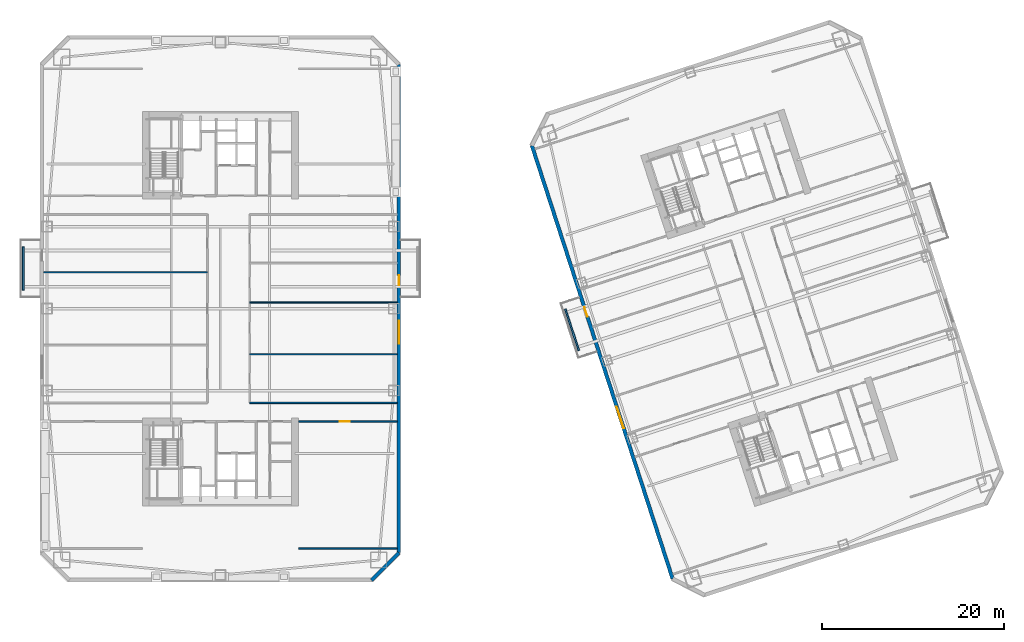
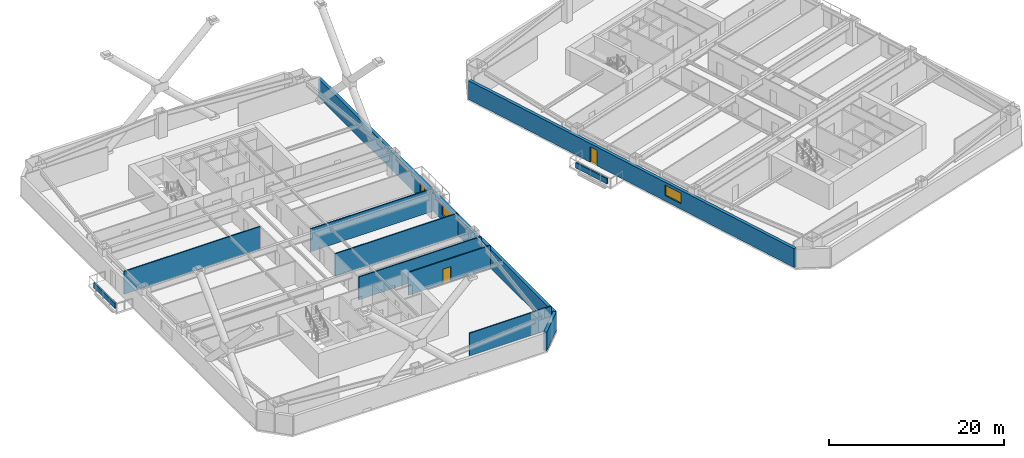
# One storey, part 5 of 15: 11 walls, 3 doors, 2 windows, 5 openings.
"""IFC4 building model written with IfcOpenShell, lengths in metres."""

from ifc_helpers import new_model, si_unit, direction, frame, frame_2d, origin, place, context, subcontext, project, spatial, rectangle, extrude, material, layer, layer_set, type_object, element, fill, save


model = new_model("IFC4")

# Units and contexts
model_context = context("Model", 3, precision=1e-05, world=origin(), true_north=direction((0.0, 1.0)))
body_context = subcontext(model_context, "Body", "Model", "MODEL_VIEW")
ifc_project = project(units=[si_unit("LENGTHUNIT", "METRE"), si_unit("AREAUNIT", "SQUARE_METRE"), si_unit("VOLUMEUNIT", "CUBIC_METRE"), si_unit("PLANEANGLEUNIT", "RADIAN"), si_unit("MASSUNIT", "GRAM", prefix="KILO")], contexts=[model_context])

# Site, building, storey
site_placement = place(None, origin())
site = spatial("IfcSite", under=ifc_project, at=site_placement, CompositionType="ELEMENT")
building_placement = place(site_placement, origin())
building = spatial("IfcBuilding", under=site, at=building_placement, Name="Qiaolan Cultural Towers", CompositionType="ELEMENT")
storey_placement = place(building_placement, frame((0.0, 0.0, 71.300048828125)))
storey = spatial("IfcBuildingStorey", under=building, at=storey_placement, Name="L17", CompositionType="ELEMENT", Elevation=71.300048828125)

# Wall, openings, door, window
ifc_material_1 = material(Name="Precast Concrete C50 Honed Stone Pier", Category="masonry")
ifc_layer_1 = layer(ifc_material_1, 0.39990234375)
ifc_layer_set_1 = layer_set([ifc_layer_1], Name="Precast Concrete C50 Honed Stone Pier")
wall_type_1 = type_object("IfcWallType", Name="WL-EXT-PIER-400", PredefinedType="SOLIDWALL", material=ifc_layer_set_1)
wall_1_placement = place(storey_placement, frame((49.60009765625, 60.800048828125, 0.0), z_axis=(0.0, 0.0, 1.0), x_axis=(0.0, -1.0, 0.0)))
wall_1 = element("IfcWall", 1, at=wall_1_placement, inside=storey, type_object=wall_type_1, Name="L17 West Tower Precast Pier Facade Wall F5", PredefinedType="SOLIDWALL", context=body_context, shape_type="SweptSolid", body=[
    extrude(rectangle(XDim=53.60009765625, YDim=0.39990234375, at=frame_2d((26.800048828125, 0.0))), origin(), (0.0, 0.0, 1.0), 2.60986328125),
])
opening_1_placement = place(wall_1_placement, frame((28.14990234375, 0.0, 0.75)))
opening_1 = element("IfcOpeningElement", 2, at=opening_1_placement, cuts=wall_1, Name="Opening W-01", PredefinedType="OPENING", context=body_context, shape_type="SweptSolid", body=[
    extrude(rectangle(XDim=2.5, YDim=1.4599609375, at=frame_2d((1.25, 0.72998046875))), frame((0.0, 0.2099609375, 0.0), z_axis=(0.0, -1.0, 0.0), x_axis=(1.0, 0.0, 0.0)), (0.0, 0.0, 1.0), 0.419921875),
])
opening_2_placement = place(wall_1_placement, frame((23.14990234375, 0.0, 0.0)))
opening_2 = element("IfcOpeningElement", 3, at=opening_2_placement, cuts=wall_1, Name="Opening BD-01", PredefinedType="OPENING", context=body_context, shape_type="SweptSolid", body=[
    extrude(rectangle(XDim=1.10009765625, YDim=2.14990234375, at=frame_2d((0.550048828125, 1.074951171875))), frame((0.0, 0.2099609375, 0.0), z_axis=(0.0, -1.0, 0.0), x_axis=(1.0, 0.0, 0.0)), (0.0, 0.0, 1.0), 0.419921875),
])
ifc_material_2 = material(Name="Thermally Broken Aluminium Glazed Terrace Door", Category="aluminium")
door_type_1 = type_object("IfcDoorType", Name="DR-BAL-1100", OperationType="NOTDEFINED", PredefinedType="DOOR", material=ifc_material_2)
door_1_placement = place(opening_2_placement, origin())
door_1 = element("IfcDoor", 4, at=door_1_placement, inside=storey, type_object=door_type_1, Name="L17 T1 East Tree Balcony Door", OperationType="SINGLE_SWING_RIGHT", OverallHeight=2.14990234375, OverallWidth=1.10009765625, PredefinedType="DOOR", context=body_context, shape_type="SweptSolid", body=[
    extrude(rectangle(XDim=1.10009765625, YDim=2.14990234375, at=frame_2d((0.550048828125, 1.074951171875))), frame((0.0, 0.02490234375, 0.0), z_axis=(0.0, -1.0, 0.0), x_axis=(1.0, 0.0, 0.0)), (0.0, 0.0, 1.0), 0.050048828125),
])
fill(opening_2, door_1)
ifc_material_3 = material(Name="Thermally Broken Aluminium Triple Low-E Glazing", Category="aluminium")
window_type = type_object("IfcWindowType", Name="WN-CHIC-2500", PartitioningType="SINGLE_PANEL", PredefinedType="WINDOW", material=ifc_material_3)
window_1_placement = place(opening_1_placement, origin())
window_1 = element("IfcWindow", 5, at=window_1_placement, inside=storey, type_object=window_type, Name="L17 T1 E Chicago Bay Window 1", OverallHeight=1.4599609375, OverallWidth=2.5, PartitioningType="TRIPLE_PANEL_VERTICAL", PredefinedType="WINDOW", context=body_context, shape_type="SweptSolid", body=[
    extrude(rectangle(XDim=2.5, YDim=1.4599609375, at=frame_2d((1.25, 0.72998046875))), frame((0.0, 0.030029296875, 0.0), z_axis=(0.0, -1.0, 0.0), x_axis=(1.0, 0.0, 0.0)), (0.0, 0.0, 1.0), 0.06005859375),
])
fill(opening_1, window_1)

# Wall
wall_2_placement = place(storey_placement, frame((49.60009765625, 7.199951171875, 0.0), z_axis=(0.0, 0.0, 1.0), x_axis=(-0.707106781187, -0.707106781187, 0.0)))
element("IfcWall", 6, at=wall_2_placement, inside=storey, type_object=wall_type_1, Name="L17 West Tower Precast Pier Facade Wall F6", PredefinedType="SOLIDWALL", context=body_context, shape_type="SweptSolid", body=[
    extrude(rectangle(XDim=4.24267578125, YDim=0.39990234375, at=frame_2d((2.121337890625, 0.0))), origin(), (0.0, 0.0, 1.0), 2.60986328125),
])

# Wall, openings, door, window
wall_3_placement = place(storey_placement, frame((79.6552734375, 4.352294921875, 0.0), z_axis=(0.0, 0.0, 1.0), x_axis=(-0.309014526607, 0.951057318118, 0.0)))
wall_3 = element("IfcWall", 7, at=wall_3_placement, inside=storey, type_object=wall_type_1, Name="L17 East Tower Precast Pier Facade Wall F1", PredefinedType="SOLIDWALL", context=body_context, shape_type="SweptSolid", body=[
    extrude(rectangle(XDim=49.999755859375, YDim=0.39990234375, at=frame_2d((25.0, 0.0))), origin(), (0.0, 0.0, 1.0), 2.60986328125),
])
opening_3_placement = place(wall_3_placement, frame((17.35009765625, 0.0, 0.75)))
opening_3 = element("IfcOpeningElement", 8, at=opening_3_placement, cuts=wall_3, Name="Opening W-01", PredefinedType="OPENING", context=body_context, shape_type="SweptSolid", body=[
    extrude(rectangle(XDim=2.5, YDim=1.4599609375, at=frame_2d((1.25, 0.72998046875))), frame((0.0, 0.2099609375, 0.0), z_axis=(0.0, -1.0, 0.0), x_axis=(1.0, 0.0, 0.0)), (0.0, 0.0, 1.0), 0.419921875),
])
opening_4_placement = place(wall_3_placement, frame((30.25, 0.0, 0.0)))
opening_4 = element("IfcOpeningElement", 9, at=opening_4_placement, cuts=wall_3, Name="Opening BD-01", PredefinedType="OPENING", context=body_context, shape_type="SweptSolid", body=[
    extrude(rectangle(XDim=1.10009765625, YDim=2.14990234375, at=frame_2d((0.550048828125, 1.074951171875))), frame((0.0, 0.2099609375, 0.0), z_axis=(0.0, -1.0, 0.0), x_axis=(1.0, 0.0, 0.0)), (0.0, 0.0, 1.0), 0.419921875),
])
door_2_placement = place(opening_4_placement, origin())
door_2 = element("IfcDoor", 10, at=door_2_placement, inside=storey, type_object=door_type_1, Name="L17 T2 West Tree Balcony Door", OperationType="SINGLE_SWING_LEFT", OverallHeight=2.14990234375, OverallWidth=1.10009765625, PredefinedType="DOOR", context=body_context, shape_type="SweptSolid", body=[
    extrude(rectangle(XDim=1.10009765625, YDim=2.14990234375, at=frame_2d((0.550048828125, 1.074951171875))), frame((0.0, 0.02490234375, 0.0), z_axis=(0.0, -1.0, 0.0), x_axis=(1.0, 0.0, 0.0)), (0.0, 0.0, 1.0), 0.050048828125),
])
fill(opening_4, door_2)
window_2_placement = place(opening_3_placement, origin())
window_2 = element("IfcWindow", 11, at=window_2_placement, inside=storey, type_object=window_type, Name="L17 T2 W Chicago Bay Window 1", OverallHeight=1.4599609375, OverallWidth=2.5, PartitioningType="TRIPLE_PANEL_VERTICAL", PredefinedType="WINDOW", context=body_context, shape_type="SweptSolid", body=[
    extrude(rectangle(XDim=2.5, YDim=1.4599609375, at=frame_2d((1.25, 0.72998046875))), frame((0.0, 0.030029296875, 0.0), z_axis=(0.0, -1.0, 0.0), x_axis=(1.0, 0.0, 0.0)), (0.0, 0.0, 1.0), 0.06005859375),
])
fill(opening_3, window_2)

# Wall
ifc_material_4 = material(Name="Autoclaved Aerated Concrete Block B06", Category="concrete")
ifc_layer_2 = layer(ifc_material_4, 0.14990234375)
ifc_layer_set_2 = layer_set([ifc_layer_2], Name="Autoclaved Aerated Concrete Block B06")
wall_type_2 = type_object("IfcWallType", Name="WL-PART-150", PredefinedType="PARTITIONING", material=ifc_layer_set_2)
wall_4_placement = place(storey_placement, frame((38.60009765625, 7.64990234375, 0.0), z_axis=(0.0, 0.0, 1.0), x_axis=(1.0, 0.0, 0.0)))
element("IfcWall", 12, at=wall_4_placement, inside=storey, type_object=wall_type_2, Name="L17 T1 Flank Wall FLK-SE", PredefinedType="PARTITIONING", context=body_context, shape_type="SweptSolid", body=[
    extrude(rectangle(XDim=10.7998046875, YDim=0.14990234375, at=frame_2d((5.39990234375, 0.0))), origin(), (0.0, 0.0, 1.0), 3.175048828125),
])

# Wall, opening, door
wall_5_placement = place(storey_placement, frame((38.60009765625, 21.60009765625, 0.0), z_axis=(0.0, 0.0, 1.0), x_axis=(1.0, 0.0, 0.0)))
wall_5 = element("IfcWall", 13, at=wall_5_placement, inside=storey, type_object=wall_type_2, Name="L17 T1 Flank Front FLK-SE", PredefinedType="PARTITIONING", context=body_context, shape_type="SweptSolid", body=[
    extrude(rectangle(XDim=10.7998046875, YDim=0.14990234375, at=frame_2d((5.39990234375, 0.0))), origin(), (0.0, 0.0, 1.0), 3.175048828125),
])
opening_5_placement = place(wall_5_placement, frame((4.535888671875, 0.0, 0.0)))
opening_5 = element("IfcOpeningElement", 14, at=opening_5_placement, cuts=wall_5, Name="Opening ID-07", PredefinedType="OPENING", context=body_context, shape_type="SweptSolid", body=[
    extrude(rectangle(XDim=1.050048828125, YDim=2.050048828125, at=frame_2d((0.52490234375, 1.02490234375))), frame((0.0, 0.0849609375, 0.0), z_axis=(0.0, -1.0, 0.0), x_axis=(1.0, 0.0, 0.0)), (0.0, 0.0, 1.0), 0.169921875),
])
ifc_material_5 = material(Name="Oak Veneer Consultation Door", Category="timber")
door_type_2 = type_object("IfcDoorType", Name="DR-INT-1050", OperationType="NOTDEFINED", PredefinedType="DOOR", material=ifc_material_5)
door_3_placement = place(opening_5_placement, origin())
door_3 = element("IfcDoor", 15, at=door_3_placement, inside=storey, type_object=door_type_2, Name="L17 T1 Corner Studio Door", OperationType="SINGLE_SWING_LEFT", OverallHeight=2.050048828125, OverallWidth=1.050048828125, PredefinedType="DOOR", context=body_context, shape_type="SweptSolid", body=[
    extrude(rectangle(XDim=1.050048828125, YDim=2.050048828125, at=frame_2d((0.52490234375, 1.02490234375))), frame((0.0, 0.02490234375, 0.0), z_axis=(0.0, -1.0, 0.0), x_axis=(1.0, 0.0, 0.0)), (0.0, 0.0, 1.0), 0.050048828125),
])
fill(opening_5, door_3)

# Walls
wall_6_placement = place(storey_placement, frame((33.22509765625, 23.64990234375, 0.0), z_axis=(0.0, 0.0, 1.0), x_axis=(1.0, 0.0, 0.0)))
element("IfcWall", 16, at=wall_6_placement, inside=storey, type_object=wall_type_2, Name="L17 T1 South Corridor Right Wall", PredefinedType="PARTITIONING", context=body_context, shape_type="SweptSolid", body=[
    extrude(rectangle(XDim=16.1748046875, YDim=0.14990234375, at=frame_2d((8.08740234375, 0.0))), origin(), (0.0, 0.0, 1.0), 3.175048828125),
])
wall_7_placement = place(storey_placement, frame((10.60009765625, 38.0, 0.0), z_axis=(0.0, 0.0, 1.0), x_axis=(1.0, 0.0, 0.0)))
element("IfcWall", 17, at=wall_7_placement, inside=storey, type_object=wall_type_2, Name="L17 T1 West Partition 2", PredefinedType="PARTITIONING", context=body_context, shape_type="SweptSolid", body=[
    extrude(rectangle(XDim=17.974853515625, YDim=0.14990234375, at=frame_2d((8.9873046875, 0.0))), origin(), (0.0, 0.0, 1.0), 3.175048828125),
])
for number, where, z_axis, x_axis, name in (
    (18, (33.22509765625, 29.0, 0.0), (0.0, 0.0, 1.0), (1.0, 0.0, 0.0), "L17 T1 East Partition 1"),
    (19, (33.22509765625, 34.679931640625, 0.0), (0.0, 0.0, 1.0), (1.0, 0.0, 0.0), "L17 T1 East Partition 2"),
):
    element("IfcWall", number, at=place(storey_placement, frame(where, z_axis=z_axis, x_axis=x_axis)), inside=storey, type_object=wall_type_2, Name=name, PredefinedType="PARTITIONING", context=body_context, shape_type="SweptSolid", body=[
        extrude(rectangle(XDim=16.1748046875, YDim=0.14990234375, at=frame_2d((8.08740234375, 0.0))), origin(), (0.0, 0.0, 1.0), 3.175048828125),
    ])
ifc_material_6 = material(Name="Precast Concrete C45 Tree Planter Upstand", Category="concrete")
ifc_layer_3 = layer(ifc_material_6, 0.199951171875)
ifc_layer_set_3 = layer_set([ifc_layer_3], Name="Precast Concrete C45 Tree Planter Upstand")
wall_type_3 = type_object("IfcWallType", Name="WL-PLANTER-200", PredefinedType="PARAPET", material=ifc_layer_set_3)
for number, where, z_axis, x_axis, name in (
    (20, (8.35009765625, 36.0, 0.0), (0.0, 0.0, 1.0), (0.0, 1.0, 0.0), "L17 T1 Tree Balcony Soil Planter Box W"),
    (21, (69.3623046875, 29.397216796875, 0.0), (0.0, 0.0, 1.0), (-0.309032019345, 0.951051634255, 0.0), "L17 T2 Tree Balcony Soil Planter Box W"),
):
    element("IfcWall", number, at=place(storey_placement, frame(where, z_axis=z_axis, x_axis=x_axis)), inside=storey, type_object=wall_type_3, Name=name, PredefinedType="PARAPET", context=body_context, shape_type="SweptSolid", body=[
        extrude(rectangle(XDim=4.800048828125, YDim=0.199951171875, at=frame_2d((2.39990234375, 0.0))), origin(), (0.0, 0.0, 1.0), 0.75),
    ])

save(model, "model.ifc")
